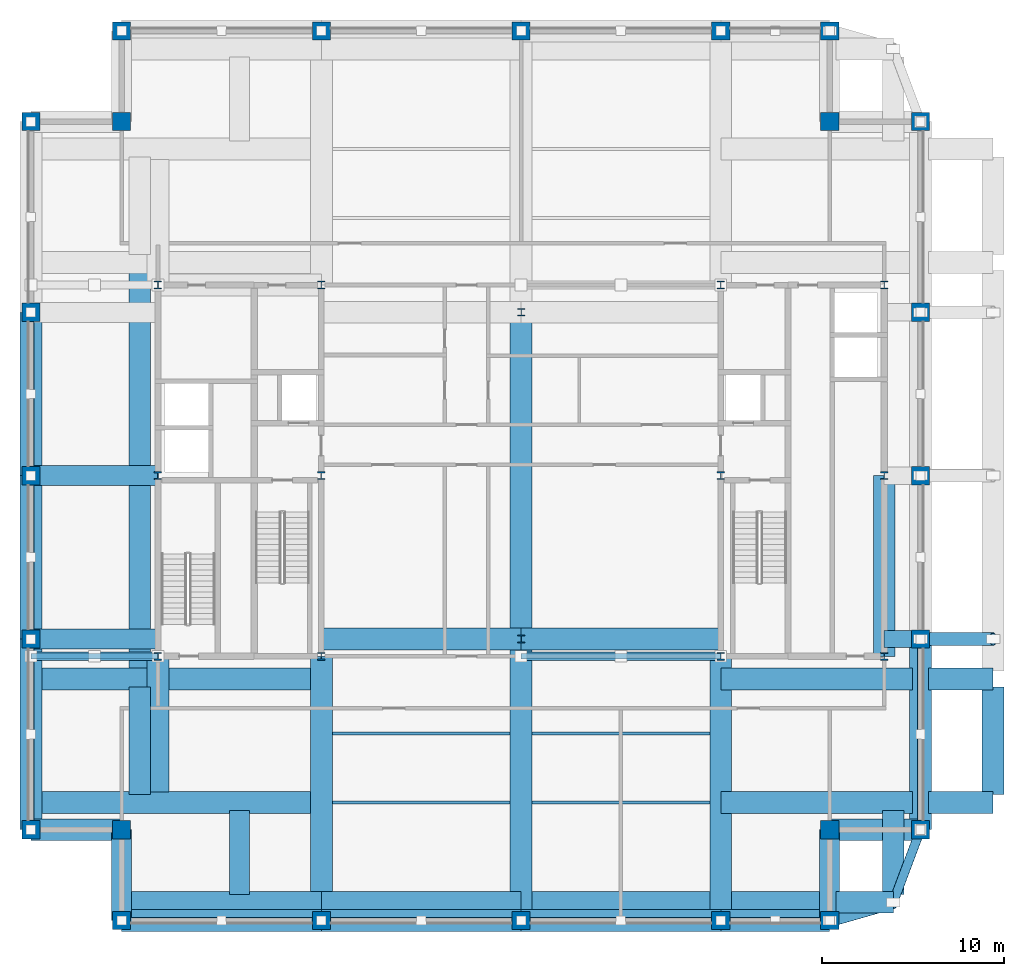
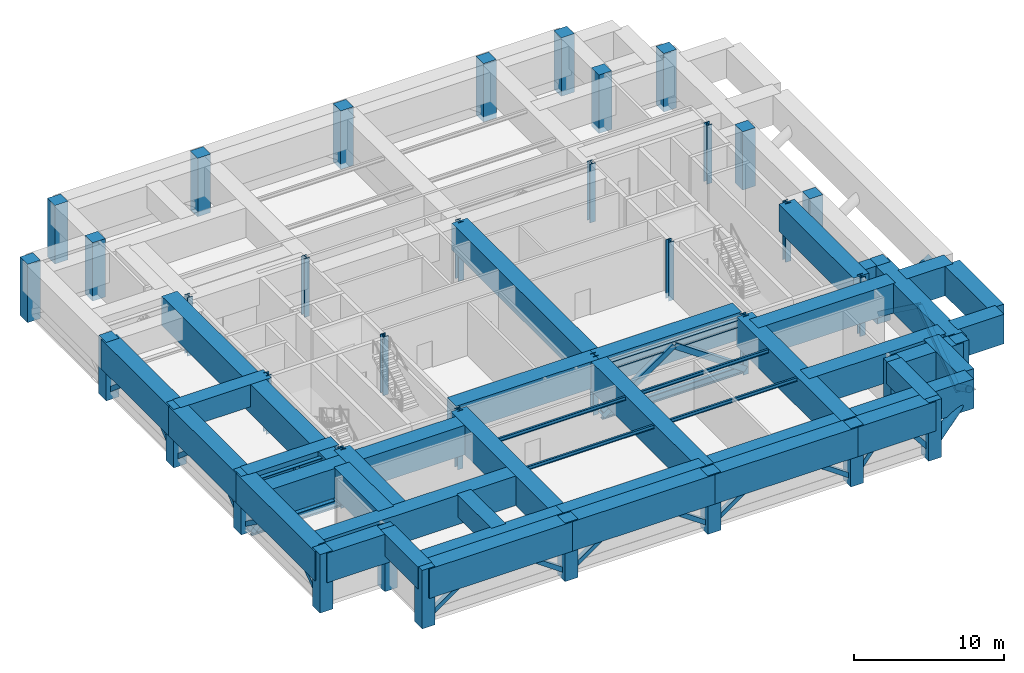
# One storey, part 1 of 9: 42 beams, 38 columns, 27 members.
"""IFC4 building model written with IfcOpenShell, lengths in metres."""

from ifc_helpers import new_model, si_unit, direction, frame, origin, origin_2d, place, context, subcontext, project, spatial, rectangle, hollow_rectangle, hollow_circle, i_section, extrude, material, material_profile, profile_set, type_object, element, save


model = new_model("IFC4")

# Units and contexts
model_context = context("Model", 3, precision=1e-05, world=origin(), true_north=direction((0.0, 1.0)))
body_context = subcontext(model_context, "Body", "Model", "MODEL_VIEW")
ifc_project = project(units=[si_unit("LENGTHUNIT", "METRE"), si_unit("AREAUNIT", "SQUARE_METRE"), si_unit("VOLUMEUNIT", "CUBIC_METRE"), si_unit("PLANEANGLEUNIT", "RADIAN"), si_unit("MASSUNIT", "GRAM", prefix="KILO")], contexts=[model_context])

# Site, building, storey
site_placement = place(None, origin())
site = spatial("IfcSite", under=ifc_project, at=site_placement, CompositionType="ELEMENT")
building_placement = place(site_placement, origin())
building = spatial("IfcBuilding", under=site, at=building_placement, Name="Zulmaris Gate Convention Tower", CompositionType="ELEMENT")
storey_placement = place(building_placement, frame((0.0, 0.0, 222.06005859375)))
storey = spatial("IfcBuildingStorey", under=building, at=storey_placement, Name="L58", CompositionType="ELEMENT", Elevation=222.06005859375)

# Columns
ifc_material_1 = material(Name="Steel S460", Category="steel")
ifc_material_profile_1 = material_profile(ifc_material_1, i_section(OverallWidth=0.412109375, OverallDepth=0.43505859375, WebThickness=0.035888671875, FlangeThickness=0.05810546875, FilletRadius=0.014892578125, at=origin_2d()), Name="HD 400x463")
ifc_profile_set_1 = profile_set([ifc_material_profile_1], Name="Steel S460")
column_type_1 = type_object("IfcColumnType", Name="COL-HD463", PredefinedType="COLUMN", material=ifc_profile_set_1)
for number, where, z_axis, x_axis, name in (
    (1, (-20.0, -9.949951171875, -0.425048828125), (0.0, 0.0, 1.0), (1.0, 0.0, 0.0), "L58 Column IN--20.00_-9.95"),
    (2, (-20.0, 10.5, -0.425048828125), (0.0, 0.0, 1.0), (1.0, 0.0, 0.0), "L58 Column IN--20.00_+10.50"),
    (3, (-11.0, -9.949951171875, -0.425048828125), (0.0, 0.0, 1.0), (1.0, 0.0, 0.0), "L58 Column IN--11.00_-9.95"),
    (4, (-11.0, 0.0, -0.425048828125), (0.0, 0.0, 1.0), (1.0, 0.0, 0.0), "L58 Column IN--11.00_+0.00"),
    (5, (-11.0, 10.5, -0.425048828125), (0.0, 0.0, 1.0), (1.0, 0.0, 0.0), "L58 Column IN--11.00_+10.50"),
    (6, (11.0, -9.949951171875, -0.425048828125), (0.0, 0.0, 1.0), (1.0, 0.0, 0.0), "L58 Column IN-+11.00_-9.95"),
    (7, (11.0, 0.0, -0.425048828125), (0.0, 0.0, 1.0), (1.0, 0.0, 0.0), "L58 Column IN-+11.00_+0.00"),
    (8, (11.0, 10.5, -0.425048828125), (0.0, 0.0, 1.0), (1.0, 0.0, 0.0), "L58 Column IN-+11.00_+10.50"),
    (9, (20.0, -9.949951171875, -0.425048828125), (0.0, 0.0, 1.0), (1.0, 0.0, 0.0), "L58 Column IN-+20.00_-9.95"),
    (10, (20.0, 10.5, -0.425048828125), (0.0, 0.0, 1.0), (1.0, 0.0, 0.0), "L58 Column IN-+20.00_+10.50"),
    (11, (0.0, -9.0, -0.425048828125), (0.0, 0.0, 1.0), (1.0, 0.0, 0.0), "L58 Column IN-+0.00_-9.00"),
    (12, (0.0, 9.0, -0.425048828125), (0.0, 0.0, 1.0), (1.0, 0.0, 0.0), "L58 Column IN-+0.00_+9.00"),
    (13, (-20.0, 0.0, -0.425048828125), (0.0, 0.0, 1.0), (1.0, 0.0, 0.0), "L58 Column IN--20.00_+0.00"),
    (14, (20.0, 0.0, -0.425048828125), (0.0, 0.0, 1.0), (1.0, 0.0, 0.0), "L58 Column IN-+20.00_+0.00"),
):
    element("IfcColumn", number, at=place(storey_placement, frame(where, z_axis=z_axis, x_axis=x_axis)), inside=storey, type_object=column_type_1, Name=name, PredefinedType="COLUMN", context=body_context, shape_type="SweptSolid", body=[
        extrude(i_section(OverallWidth=0.412109375, OverallDepth=0.43505859375, WebThickness=0.035888671875, FlangeThickness=0.05810546875, FilletRadius=0.014892578125, at=origin_2d()), origin(), (0.0, 0.0, 1.0), 4.760009765625),
    ])
ifc_material_2 = material(Name="Concrete C60/75", Category="concrete")
ifc_material_profile_2 = material_profile(ifc_material_2, rectangle(XDim=1.0, YDim=1.0, at=origin_2d()), Name="RC COL 1000x1000")
ifc_profile_set_2 = profile_set([ifc_material_profile_2], Name="Concrete C60/75")
column_type_2 = type_object("IfcColumnType", Name="COL-RC1000", PredefinedType="COLUMN", material=ifc_profile_set_2)
for number, where, z_axis, x_axis, name in (
    (15, (-22.0, -24.5, -0.425048828125), (0.0, 0.0, 1.0), (1.0, 0.0, 0.0), "L58 Column PT--22.00_-24.50"),
    (16, (-11.0, -24.5, -0.425048828125), (0.0, 0.0, 1.0), (1.0, 0.0, 0.0), "L58 Column PT--11.00_-24.50"),
    (17, (0.0, -24.5, -0.425048828125), (0.0, 0.0, 1.0), (1.0, 0.0, 0.0), "L58 Column PT-+0.00_-24.50"),
    (18, (11.0, -24.5, -0.425048828125), (0.0, 0.0, 1.0), (1.0, 0.0, 0.0), "L58 Column PT-+11.00_-24.50"),
    (19, (17.0, -24.5, -0.425048828125), (0.0, 0.0, 1.0), (1.0, 0.0, 0.0), "L58 Column PT-+17.00_-24.50"),
    (20, (-22.0, 24.5, -0.425048828125), (0.0, 0.0, 1.0), (1.0, 0.0, 0.0), "L58 Column PT--22.00_+24.50"),
    (21, (-11.0, 24.5, -0.425048828125), (0.0, 0.0, 1.0), (1.0, 0.0, 0.0), "L58 Column PT--11.00_+24.50"),
    (22, (0.0, 24.5, -0.425048828125), (0.0, 0.0, 1.0), (1.0, 0.0, 0.0), "L58 Column PT-+0.00_+24.50"),
    (23, (11.0, 24.5, -0.425048828125), (0.0, 0.0, 1.0), (1.0, 0.0, 0.0), "L58 Column PT-+11.00_+24.50"),
    (24, (17.0, 24.5, -0.425048828125), (0.0, 0.0, 1.0), (1.0, 0.0, 0.0), "L58 Column PT-+17.00_+24.50"),
    (25, (-27.0, -19.5, -0.425048828125), (0.0, 0.0, 1.0), (1.0, 0.0, 0.0), "L58 Column PT--27.00_-19.50"),
    (26, (-27.0, -9.0, -0.425048828125), (0.0, 0.0, 1.0), (1.0, 0.0, 0.0), "L58 Column PT--27.00_-9.00"),
    (27, (-27.0, 0.0, -0.425048828125), (0.0, 0.0, 1.0), (1.0, 0.0, 0.0), "L58 Column PT--27.00_+0.00"),
    (28, (-27.0, 9.0, -0.425048828125), (0.0, 0.0, 1.0), (1.0, 0.0, 0.0), "L58 Column PT--27.00_+9.00"),
    (29, (-27.0, 19.5, -0.425048828125), (0.0, 0.0, 1.0), (1.0, 0.0, 0.0), "L58 Column PT--27.00_+19.50"),
    (30, (22.0, -19.5, -0.425048828125), (0.0, 0.0, 1.0), (1.0, 0.0, 0.0), "L58 Column PT-+22.00_-19.50"),
    (31, (22.0, -9.0, -0.425048828125), (0.0, 0.0, 1.0), (1.0, 0.0, 0.0), "L58 Column PT-+22.00_-9.00"),
    (32, (22.0, 0.0, -0.425048828125), (0.0, 0.0, 1.0), (1.0, 0.0, 0.0), "L58 Column PT-+22.00_+0.00"),
    (33, (22.0, 9.0, -0.425048828125), (0.0, 0.0, 1.0), (1.0, 0.0, 0.0), "L58 Column PT-+22.00_+9.00"),
    (34, (22.0, 19.5, -0.425048828125), (0.0, 0.0, 1.0), (1.0, 0.0, 0.0), "L58 Column PT-+22.00_+19.50"),
    (35, (-22.0, -19.5, -0.425048828125), (0.0, 0.0, 1.0), (1.0, 0.0, 0.0), "L58 Column PT--22.00_-19.50"),
    (36, (17.0, -19.5, -0.425048828125), (0.0, 0.0, 1.0), (1.0, 0.0, 0.0), "L58 Column PT-+17.00_-19.50"),
    (37, (17.0, 19.5, -0.425048828125), (0.0, 0.0, 1.0), (1.0, 0.0, 0.0), "L58 Column PT-+17.00_+19.50"),
    (38, (-22.0, 19.5, -0.425048828125), (0.0, 0.0, 1.0), (1.0, 0.0, 0.0), "L58 Column PT--22.00_+19.50"),
):
    element("IfcColumn", number, at=place(storey_placement, frame(where, z_axis=z_axis, x_axis=x_axis)), inside=storey, type_object=column_type_2, Name=name, PredefinedType="COLUMN", context=body_context, shape_type="SweptSolid", body=[
        extrude(rectangle(XDim=1.0, YDim=1.0, at=origin_2d()), origin(), (0.0, 0.0, 1.0), 4.760009765625),
    ])

# Beams
ifc_material_3 = material(Name="Concrete C80/95", Category="concrete")
ifc_material_profile_3 = material_profile(ifc_material_3, rectangle(XDim=0.949951171875, YDim=1.64990234375, at=origin_2d()), Name="RC TRANSFER 950x1650")
ifc_profile_set_3 = profile_set([ifc_material_profile_3], Name="Concrete C80/95")
beam_type_1 = type_object("IfcBeamType", Name="BM-XFER1650", PredefinedType="BEAM", material=ifc_profile_set_3)
beam_1_placement = place(storey_placement, frame((20.0, -9.0, 3.510009765625), z_axis=(1.0, 0.0, 0.0), x_axis=(0.0, 1.0, 0.0)))
element("IfcBeam", 39, at=beam_1_placement, inside=storey, type_object=beam_type_1, Name="L58 Beam BM-L58-G19", PredefinedType="BEAM", context=body_context, shape_type="SweptSolid", body=[
    extrude(rectangle(XDim=0.949951171875, YDim=1.64990234375, at=origin_2d()), origin(), (0.0, 0.0, 1.0), 2.0),
])
ifc_material_profile_4 = material_profile(ifc_material_3, rectangle(XDim=1.10009765625, YDim=1.800048828125, at=origin_2d()), Name="RC TRANSFER 1100x1800")
ifc_profile_set_4 = profile_set([ifc_material_profile_4], Name="Concrete C80/95")
beam_type_2 = type_object("IfcBeamType", Name="BM-XFER1800", PredefinedType="BEAM", material=ifc_profile_set_4)
for number, where, z_axis, x_axis, name in (
    (40, (-22.0, -24.5, 3.43505859375), (0.0, 1.0, 0.0), (-1.0, 0.0, 0.0), "L58 Beam XFCOLV-L58-CXWS"),
    (41, (17.0, -24.5, 3.43505859375), (0.0, 1.0, 0.0), (-1.0, 0.0, 0.0), "L58 Beam XFCOLV-L58-CXES"),
):
    element("IfcBeam", number, at=place(storey_placement, frame(where, z_axis=z_axis, x_axis=x_axis)), inside=storey, type_object=beam_type_2, Name=name, PredefinedType="BEAM", context=body_context, shape_type="SweptSolid", body=[
        extrude(rectangle(XDim=1.10009765625, YDim=1.800048828125, at=origin_2d()), origin(), (0.0, 0.0, 1.0), 5.0),
    ])
beam_2_placement = place(storey_placement, frame((-15.5, -23.06494140625, 3.43505859375), z_axis=(0.0, 1.0, 0.0), x_axis=(-1.0, 0.0, 0.0)))
element("IfcBeam", 42, at=beam_2_placement, inside=storey, type_object=beam_type_2, Name="L58 Beam XFNCH-L58-WC--18.0", PredefinedType="BEAM", context=body_context, shape_type="SweptSolid", body=[
    extrude(rectangle(XDim=1.10009765625, YDim=1.800048828125, at=origin_2d()), origin(), (0.0, 0.0, 1.0), 4.6298828125),
])
for number, where, z_axis, x_axis, name in (
    (43, (-27.0, -9.0, 3.43505859375), (1.0, 0.0, 0.0), (0.0, 1.0, 0.0), "L58 Beam BM-L58-G16"),
    (44, (-27.0, 0.0, 3.43505859375), (1.0, 0.0, 0.0), (0.0, 1.0, 0.0), "L58 Beam BM-L58-G17"),
):
    element("IfcBeam", number, at=place(storey_placement, frame(where, z_axis=z_axis, x_axis=x_axis)), inside=storey, type_object=beam_type_2, Name=name, PredefinedType="BEAM", context=body_context, shape_type="SweptSolid", body=[
        extrude(rectangle(XDim=1.10009765625, YDim=1.800048828125, at=origin_2d()), origin(), (0.0, 0.0, 1.0), 7.0),
    ])
ifc_material_profile_5 = material_profile(ifc_material_3, rectangle(XDim=1.199951171875, YDim=2.199951171875, at=origin_2d()), Name="RC TRANSFER 1200x2200")
ifc_profile_set_5 = profile_set([ifc_material_profile_5], Name="Concrete C80/95")
beam_type_3 = type_object("IfcBeamType", Name="BM-XFER2200", PredefinedType="BEAM", material=ifc_profile_set_5)
for number, where, z_axis, x_axis, name in (
    (45, (-11.0, -9.0, 3.235107421875), (1.0, 0.0, 0.0), (0.0, 1.0, 0.0), "L58 Beam BM-L58-G01"),
    (46, (0.0, -9.0, 3.235107421875), (1.0, 0.0, 0.0), (0.0, 1.0, 0.0), "L58 Beam BM-L58-G02"),
):
    element("IfcBeam", number, at=place(storey_placement, frame(where, z_axis=z_axis, x_axis=x_axis)), inside=storey, type_object=beam_type_3, Name=name, PredefinedType="BEAM", context=body_context, shape_type="SweptSolid", body=[
        extrude(rectangle(XDim=1.199951171875, YDim=2.199951171875, at=origin_2d()), origin(), (0.0, 0.0, 1.0), 11.0),
    ])
beam_3_placement = place(storey_placement, frame((0.0, -9.0, 3.235107421875), z_axis=(0.0, 1.0, 0.0), x_axis=(-1.0, 0.0, 0.0)))
element("IfcBeam", 47, at=beam_3_placement, inside=storey, type_object=beam_type_3, Name="L58 Beam BM-L58-G06", PredefinedType="BEAM", context=body_context, shape_type="SweptSolid", body=[
    extrude(rectangle(XDim=1.199951171875, YDim=2.199951171875, at=origin_2d()), origin(), (0.0, 0.0, 1.0), 18.0),
])
beam_4_placement = place(storey_placement, frame((20.0, -9.949951171875, 3.235107421875), z_axis=(0.0, 1.0, 0.0), x_axis=(-1.0, 0.0, 0.0)))
element("IfcBeam", 48, at=beam_4_placement, inside=storey, type_object=beam_type_3, Name="L58 Beam BM-L58-G28", PredefinedType="BEAM", context=body_context, shape_type="SweptSolid", body=[
    extrude(rectangle(XDim=1.199951171875, YDim=2.199951171875, at=origin_2d()), origin(), (0.0, 0.0, 1.0), 9.949951171875),
])
ifc_material_profile_6 = material_profile(ifc_material_3, rectangle(XDim=1.199951171875, YDim=2.39990234375, at=origin_2d()), Name="RC TRANSFER 1200x2400")
ifc_profile_set_6 = profile_set([ifc_material_profile_6], Name="Concrete C80/95")
beam_type_4 = type_object("IfcBeamType", Name="BM-XFER2400", PredefinedType="BEAM", material=ifc_profile_set_6)
beam_5_placement = place(storey_placement, frame((-27.0, -19.5, 3.135009765625), z_axis=(0.0, 1.0, 0.0), x_axis=(-1.0, 0.0, 0.0)))
element("IfcBeam", 49, at=beam_5_placement, inside=storey, type_object=beam_type_4, Name="L58 Beam XFCOLV-L58-XWS", PredefinedType="BEAM", context=body_context, shape_type="SweptSolid", body=[
    extrude(rectangle(XDim=1.199951171875, YDim=2.39990234375, at=origin_2d()), origin(), (0.0, 0.0, 1.0), 10.5),
])
for number, where, z_axis, x_axis, name in (
    (50, (-27.0, -9.0, 3.135009765625), (0.0, 1.0, 0.0), (-1.0, 0.0, 0.0), "L58 Beam XFCOLV-L58-XWM1"),
    (51, (-27.0, 0.0, 3.135009765625), (0.0, 1.0, 0.0), (-1.0, 0.0, 0.0), "L58 Beam XFCOLV-L58-XWM2"),
):
    element("IfcBeam", number, at=place(storey_placement, frame(where, z_axis=z_axis, x_axis=x_axis)), inside=storey, type_object=beam_type_4, Name=name, PredefinedType="BEAM", context=body_context, shape_type="SweptSolid", body=[
        extrude(rectangle(XDim=1.199951171875, YDim=2.39990234375, at=origin_2d()), origin(), (0.0, 0.0, 1.0), 9.0),
    ])
beam_6_placement = place(storey_placement, frame((22.0, -19.5, 3.135009765625), z_axis=(0.0, 1.0, 0.0), x_axis=(-1.0, 0.0, 0.0)))
element("IfcBeam", 52, at=beam_6_placement, inside=storey, type_object=beam_type_4, Name="L58 Beam XFCOLV-L58-XES", PredefinedType="BEAM", context=body_context, shape_type="SweptSolid", body=[
    extrude(rectangle(XDim=1.199951171875, YDim=2.39990234375, at=origin_2d()), origin(), (0.0, 0.0, 1.0), 10.5),
])
for number, where, z_axis, x_axis, name in (
    (53, (-11.0, -24.5, 3.135009765625), (0.0, 1.0, 0.0), (-1.0, 0.0, 0.0), "L58 Beam XFCOLV-L58-C11WS"),
    (54, (11.0, -24.5, 3.135009765625), (0.0, 1.0, 0.0), (-1.0, 0.0, 0.0), "L58 Beam XFCOLV-L58-C11ES"),
):
    element("IfcBeam", number, at=place(storey_placement, frame(where, z_axis=z_axis, x_axis=x_axis)), inside=storey, type_object=beam_type_4, Name=name, PredefinedType="BEAM", context=body_context, shape_type="SweptSolid", body=[
        extrude(rectangle(XDim=1.199951171875, YDim=2.39990234375, at=origin_2d()), origin(), (0.0, 0.0, 1.0), 14.550048828125),
    ])
beam_7_placement = place(storey_placement, frame((0.0, -24.5, 3.135009765625), z_axis=(0.0, 1.0, 0.0), x_axis=(-1.0, 0.0, 0.0)))
element("IfcBeam", 55, at=beam_7_placement, inside=storey, type_object=beam_type_4, Name="L58 Beam XFCOLV-L58-C0S", PredefinedType="BEAM", context=body_context, shape_type="SweptSolid", body=[
    extrude(rectangle(XDim=1.199951171875, YDim=2.39990234375, at=origin_2d()), origin(), (0.0, 0.0, 1.0), 15.5),
])
beam_8_placement = place(storey_placement, frame((11.0, -18.0, 3.135009765625), z_axis=(1.0, 0.0, 0.0), x_axis=(0.0, 1.0, 0.0)))
element("IfcBeam", 56, at=beam_8_placement, inside=storey, type_object=beam_type_4, Name="L58 Beam XFBS-L58-E--18.00", PredefinedType="BEAM", context=body_context, shape_type="SweptSolid", body=[
    extrude(rectangle(XDim=1.199951171875, YDim=2.39990234375, at=origin_2d()), origin(), (0.0, 0.0, 1.0), 10.56494140625),
])
beam_9_placement = place(storey_placement, frame((22.43505859375, -18.0, 3.135009765625), z_axis=(1.0, 0.0, 0.0), x_axis=(0.0, 1.0, 0.0)))
element("IfcBeam", 57, at=beam_9_placement, inside=storey, type_object=beam_type_4, Name="L58 Beam XFSF-L58-E--18.00", PredefinedType="BEAM", context=body_context, shape_type="SweptSolid", body=[
    extrude(rectangle(XDim=1.199951171875, YDim=2.39990234375, at=origin_2d()), origin(), (0.0, 0.0, 1.0), 3.56494140625),
])
beam_10_placement = place(storey_placement, frame((11.0, -11.199951171875, 3.135009765625), z_axis=(1.0, 0.0, 0.0), x_axis=(0.0, 1.0, 0.0)))
element("IfcBeam", 58, at=beam_10_placement, inside=storey, type_object=beam_type_4, Name="L58 Beam XFBS-L58-E--11.20", PredefinedType="BEAM", context=body_context, shape_type="SweptSolid", body=[
    extrude(rectangle(XDim=1.199951171875, YDim=2.39990234375, at=origin_2d()), origin(), (0.0, 0.0, 1.0), 10.56494140625),
])
beam_11_placement = place(storey_placement, frame((22.43505859375, -11.199951171875, 3.135009765625), z_axis=(1.0, 0.0, 0.0), x_axis=(0.0, 1.0, 0.0)))
element("IfcBeam", 59, at=beam_11_placement, inside=storey, type_object=beam_type_4, Name="L58 Beam XFSF-L58-E--11.20", PredefinedType="BEAM", context=body_context, shape_type="SweptSolid", body=[
    extrude(rectangle(XDim=1.199951171875, YDim=2.39990234375, at=origin_2d()), origin(), (0.0, 0.0, 1.0), 3.56494140625),
])
beam_12_placement = place(storey_placement, frame((26.0, -17.56494140625, 3.135009765625), z_axis=(0.0, 1.0, 0.0), x_axis=(-1.0, 0.0, 0.0)))
element("IfcBeam", 60, at=beam_12_placement, inside=storey, type_object=beam_type_4, Name="L58 Beam XFEDG-L58-ES", PredefinedType="BEAM", context=body_context, shape_type="SweptSolid", body=[
    extrude(rectangle(XDim=1.199951171875, YDim=2.39990234375, at=origin_2d()), origin(), (0.0, 0.0, 1.0), 5.929931640625),
])
beam_13_placement = place(storey_placement, frame((0.43505859375, -23.5, 3.135009765625), z_axis=(1.0, 0.0, 0.0), x_axis=(0.0, 1.0, 0.0)))
element("IfcBeam", 61, at=beam_13_placement, inside=storey, type_object=beam_type_4, Name="L58 Beam XFBS-L58-EC--23.5", PredefinedType="BEAM", context=body_context, shape_type="SweptSolid", body=[
    extrude(rectangle(XDim=1.199951171875, YDim=2.39990234375, at=origin_2d()), origin(), (0.0, 0.0, 1.0), 16.22998046875),
])
beam_14_placement = place(storey_placement, frame((17.3349609375, -23.5, 3.135009765625), z_axis=(1.0, 0.0, 0.0), x_axis=(0.0, 1.0, 0.0)))
element("IfcBeam", 62, at=beam_14_placement, inside=storey, type_object=beam_type_4, Name="L58 Beam XFSF-L58-EC--23.5", PredefinedType="BEAM", context=body_context, shape_type="SweptSolid", body=[
    extrude(rectangle(XDim=1.199951171875, YDim=2.39990234375, at=origin_2d()), origin(), (0.0, 0.0, 1.0), 3.1650390625),
])
for number, where, z_axis, x_axis, name in (
    (63, (-27.0, -18.0, 3.135009765625), (1.0, 0.0, 0.0), (0.0, 1.0, 0.0), "L58 Beam XFREC-L58-W--18.00"),
    (64, (-27.0, -11.199951171875, 3.135009765625), (1.0, 0.0, 0.0), (0.0, 1.0, 0.0), "L58 Beam XFREC-L58-W--11.20"),
):
    element("IfcBeam", number, at=place(storey_placement, frame(where, z_axis=z_axis, x_axis=x_axis)), inside=storey, type_object=beam_type_4, Name=name, PredefinedType="BEAM", context=body_context, shape_type="SweptSolid", body=[
        extrude(rectangle(XDim=1.199951171875, YDim=2.39990234375, at=origin_2d()), origin(), (0.0, 0.0, 1.0), 16.0),
    ])
beam_15_placement = place(storey_placement, frame((-21.0, -17.56494140625, 3.135009765625), z_axis=(0.0, 1.0, 0.0), x_axis=(-1.0, 0.0, 0.0)))
element("IfcBeam", 65, at=beam_15_placement, inside=storey, type_object=beam_type_4, Name="L58 Beam XFEDG-L58-WS", PredefinedType="BEAM", context=body_context, shape_type="SweptSolid", body=[
    extrude(rectangle(XDim=1.199951171875, YDim=2.39990234375, at=origin_2d()), origin(), (0.0, 0.0, 1.0), 5.929931640625),
])
beam_16_placement = place(storey_placement, frame((-21.0, -10.764892578125, 3.135009765625), z_axis=(0.0, 1.0, 0.0), x_axis=(-1.0, 0.0, 0.0)))
element("IfcBeam", 66, at=beam_16_placement, inside=storey, type_object=beam_type_4, Name="L58 Beam XFEDG-L58-WM", PredefinedType="BEAM", context=body_context, shape_type="SweptSolid", body=[
    extrude(rectangle(XDim=1.199951171875, YDim=2.39990234375, at=origin_2d()), origin(), (0.0, 0.0, 1.0), 22.079833984375),
])
for number, where, z_axis, x_axis, name in (
    (67, (-22.0, -23.5, 3.135009765625), (1.0, 0.0, 0.0), (0.0, 1.0, 0.0), "L58 Beam XFREC-L58-WC--23.5"),
    (68, (-11.0, -23.5, 3.135009765625), (1.0, 0.0, 0.0), (0.0, 1.0, 0.0), "L58 Beam XFREC-L58-M1--23.5"),
):
    element("IfcBeam", number, at=place(storey_placement, frame(where, z_axis=z_axis, x_axis=x_axis)), inside=storey, type_object=beam_type_4, Name=name, PredefinedType="BEAM", context=body_context, shape_type="SweptSolid", body=[
        extrude(rectangle(XDim=1.199951171875, YDim=2.39990234375, at=origin_2d()), origin(), (0.0, 0.0, 1.0), 11.0),
    ])
beam_17_placement = place(storey_placement, frame((20.5, -23.06494140625, 3.135009765625), z_axis=(0.0, 1.0, 0.0), x_axis=(-1.0, 0.0, 0.0)))
element("IfcBeam", 69, at=beam_17_placement, inside=storey, type_object=beam_type_4, Name="L58 Beam XFNCH-L58-EC--18.0", PredefinedType="BEAM", context=body_context, shape_type="SweptSolid", body=[
    extrude(rectangle(XDim=1.199951171875, YDim=2.39990234375, at=origin_2d()), origin(), (0.0, 0.0, 1.0), 4.6298828125),
])
for number, where, z_axis, x_axis, name in (
    (70, (-22.0, -24.5, 3.135009765625), (1.0, 0.0, 0.0), (0.0, 1.0, 0.0), "L58 Beam SP-L58-01"),
    (71, (-11.0, -24.5, 3.135009765625), (1.0, 0.0, 0.0), (0.0, 1.0, 0.0), "L58 Beam SP-L58-02"),
    (72, (0.0, -24.5, 3.135009765625), (1.0, 0.0, 0.0), (0.0, 1.0, 0.0), "L58 Beam SP-L58-03"),
):
    element("IfcBeam", number, at=place(storey_placement, frame(where, z_axis=z_axis, x_axis=x_axis)), inside=storey, type_object=beam_type_4, Name=name, PredefinedType="BEAM", context=body_context, shape_type="SweptSolid", body=[
        extrude(rectangle(XDim=1.199951171875, YDim=2.39990234375, at=origin_2d()), origin(), (0.0, 0.0, 1.0), 11.0),
    ])
beam_18_placement = place(storey_placement, frame((11.0, -24.5, 3.135009765625), z_axis=(1.0, 0.0, 0.0), x_axis=(0.0, 1.0, 0.0)))
element("IfcBeam", 73, at=beam_18_placement, inside=storey, type_object=beam_type_4, Name="L58 Beam SP-L58-04", PredefinedType="BEAM", context=body_context, shape_type="SweptSolid", body=[
    extrude(rectangle(XDim=1.199951171875, YDim=2.39990234375, at=origin_2d()), origin(), (0.0, 0.0, 1.0), 6.0),
])
for number, where, z_axis, x_axis, name in (
    (74, (17.0, -19.5, 3.135009765625), (1.0, 0.0, 0.0), (0.0, 1.0, 0.0), "L58 Beam SP-L58-06"),
    (75, (-27.0, -19.5, 3.135009765625), (1.0, 0.0, 0.0), (0.0, 1.0, 0.0), "L58 Beam SP-L58-23"),
):
    element("IfcBeam", number, at=place(storey_placement, frame(where, z_axis=z_axis, x_axis=x_axis)), inside=storey, type_object=beam_type_4, Name=name, PredefinedType="BEAM", context=body_context, shape_type="SweptSolid", body=[
        extrude(rectangle(XDim=1.199951171875, YDim=2.39990234375, at=origin_2d()), origin(), (0.0, 0.0, 1.0), 5.0),
    ])
beam_19_placement = place(storey_placement, frame((-20.0, -17.4150390625, 3.135009765625), z_axis=(0.0, 1.0, 0.0), x_axis=(-1.0, 0.0, 0.0)))
element("IfcBeam", 76, at=beam_19_placement, inside=storey, type_object=beam_type_4, Name="L58 Beam BM-L58-G12", PredefinedType="BEAM", context=body_context, shape_type="SweptSolid", body=[
    extrude(rectangle(XDim=1.199951171875, YDim=2.39990234375, at=origin_2d()), origin(), (0.0, 0.0, 1.0), 7.465087890625),
])

# Members
ifc_material_profile_7 = material_profile(ifc_material_1, hollow_circle(Radius=0.25390625, WallThickness=0.02490234375, at=origin_2d()), Name="CHS 508x25")
ifc_profile_set_7 = profile_set([ifc_material_profile_7], Name="Steel S460")
member_type_1 = type_object("IfcMemberType", Name="BR-CHS508", PredefinedType="BRACE", material=ifc_profile_set_7)
member_1_placement = place(storey_placement, frame((22.0, -19.5, 0.35009765625), z_axis=(-0.294141761469, -0.784378030584, 0.546105968926), x_axis=(0.936329177569, -0.351123441588, 0.0)))
element("IfcMember", 77, at=member_1_placement, inside=storey, type_object=member_type_1, Name="L58 Shifted Block Notch Web Strut EC -23.5", PredefinedType="BRACE", context=body_context, shape_type="SweptSolid", body=[
    extrude(hollow_circle(Radius=0.25390625, WallThickness=0.02490234375, at=origin_2d()), origin(), (0.0, 0.0, 1.0), 5.099609375),
])
ifc_material_profile_8 = material_profile(ifc_material_1, hollow_circle(Radius=0.35546875, WallThickness=0.035888671875, at=origin_2d()), Name="CHS 711x36")
ifc_profile_set_8 = profile_set([ifc_material_profile_8], Name="Steel S460")
member_type_2 = type_object("IfcMemberType", Name="BR-CHS711", PredefinedType="BRACE", material=ifc_profile_set_8)
member_2_placement = place(storey_placement, frame((22.0, -9.0, 0.35009765625), z_axis=(0.82068359301, 0.0, 0.571382919035), x_axis=(0.0, 1.0, 0.0)))
element("IfcMember", 78, at=member_2_placement, inside=storey, type_object=member_type_2, Name="L58 Shifted Block Transfer Raking Strut E -9.0", PredefinedType="BRACE", context=body_context, shape_type="SweptSolid", body=[
    extrude(hollow_circle(Radius=0.35546875, WallThickness=0.035888671875, at=origin_2d()), origin(), (0.0, 0.0, 1.0), 4.8740234375),
])
member_3_placement = place(storey_placement, frame((17.0, -24.5, 0.35009765625), z_axis=(0.763658338909, 0.218188096831, 0.607634672987), x_axis=(-0.274721127897, 0.961523947641, 0.0)))
element("IfcMember", 79, at=member_3_placement, inside=storey, type_object=member_type_2, Name="L58 Shifted Block Corner Raking Strut EC -23.5", PredefinedType="BRACE", context=body_context, shape_type="SweptSolid", body=[
    extrude(hollow_circle(Radius=0.35546875, WallThickness=0.035888671875, at=origin_2d()), origin(), (0.0, 0.0, 1.0), 4.583251953125),
])
ifc_material_profile_9 = material_profile(ifc_material_1, hollow_rectangle(XDim=0.35009765625, YDim=0.35009765625, WallThickness=0.01611328125, at=origin_2d()), Name="SHS 350x350x16")
ifc_profile_set_9 = profile_set([ifc_material_profile_9], Name="Steel S460")
member_type_3 = type_object("IfcMemberType", Name="BR-SHS350", PredefinedType="BRACE", material=ifc_profile_set_9)
for number, where, z_axis, x_axis, name in (
    (80, (-22.0, -24.5, 0.0), (0.82028427934, 0.0, 0.571956030712), (0.0, 1.0, 0.0), "L58 Perimeter Belt Truss Diagonal 01-1"),
    (81, (-16.5, -24.5, 3.8349609375), (0.82028427934, 0.0, -0.571956030712), (0.0, 1.0, 0.0), "L58 Perimeter Belt Truss Diagonal 01-2"),
    (82, (-11.0, -24.5, 0.0), (0.82028427934, 0.0, 0.571956030712), (0.0, 1.0, 0.0), "L58 Perimeter Belt Truss Diagonal 02-1"),
    (83, (-5.5, -24.5, 3.8349609375), (0.82028427934, 0.0, -0.571956030712), (0.0, 1.0, 0.0), "L58 Perimeter Belt Truss Diagonal 02-2"),
    (84, (0.0, -24.5, 0.0), (0.82028427934, 0.0, 0.571956030712), (0.0, 1.0, 0.0), "L58 Perimeter Belt Truss Diagonal 03-1"),
    (85, (5.5, -24.5, 3.8349609375), (0.82028427934, 0.0, -0.571956030712), (0.0, 1.0, 0.0), "L58 Perimeter Belt Truss Diagonal 03-2"),
):
    element("IfcMember", number, at=place(storey_placement, frame(where, z_axis=z_axis, x_axis=x_axis)), inside=storey, type_object=member_type_3, Name=name, PredefinedType="BRACE", context=body_context, shape_type="SweptSolid", body=[
        extrude(hollow_rectangle(XDim=0.35009765625, YDim=0.35009765625, WallThickness=0.01611328125, at=origin_2d()), origin(), (0.0, 0.0, 1.0), 6.705078125),
    ])
for number, where, z_axis, x_axis, name in (
    (86, (11.0, -24.5, 0.0), (0.616146006879, 0.0, 0.78763195606), (0.0, 1.0, 0.0), "L58 Perimeter Belt Truss Diagonal 04-1"),
    (87, (14.0, -24.5, 3.8349609375), (0.616146006879, 0.0, -0.78763195606), (0.0, 1.0, 0.0), "L58 Perimeter Belt Truss Diagonal 04-2"),
):
    element("IfcMember", number, at=place(storey_placement, frame(where, z_axis=z_axis, x_axis=x_axis)), inside=storey, type_object=member_type_3, Name=name, PredefinedType="BRACE", context=body_context, shape_type="SweptSolid", body=[
        extrude(hollow_rectangle(XDim=0.35009765625, YDim=0.35009765625, WallThickness=0.01611328125, at=origin_2d()), origin(), (0.0, 0.0, 1.0), 4.868896484375),
    ])
for number, where, z_axis, x_axis, name in (
    (88, (-27.0, -19.5, 0.0), (0.0, 0.807506694301, 0.589858405602), (-1.0, 0.0, 0.0), "L58 Perimeter Belt Truss Diagonal 09-1"),
    (89, (-27.0, -14.25, 3.8349609375), (0.0, 0.807506694301, -0.589858405602), (-1.0, 0.0, 0.0), "L58 Perimeter Belt Truss Diagonal 09-2"),
):
    element("IfcMember", number, at=place(storey_placement, frame(where, z_axis=z_axis, x_axis=x_axis)), inside=storey, type_object=member_type_3, Name=name, PredefinedType="BRACE", context=body_context, shape_type="SweptSolid", body=[
        extrude(hollow_rectangle(XDim=0.35009765625, YDim=0.35009765625, WallThickness=0.01611328125, at=origin_2d()), origin(), (0.0, 0.0, 1.0), 6.50146484375),
    ])
for number, where, z_axis, x_axis, name in (
    (90, (-27.0, -9.0, 0.0), (0.0, 0.761107322007, 0.648625966476), (-1.0, 0.0, 0.0), "L58 Perimeter Belt Truss Diagonal 10-1"),
    (91, (-27.0, -4.5, 3.8349609375), (0.0, 0.761107322007, -0.648625966476), (-1.0, 0.0, 0.0), "L58 Perimeter Belt Truss Diagonal 10-2"),
    (92, (-27.0, 0.0, 0.0), (0.0, 0.761107322007, 0.648625966476), (-1.0, 0.0, 0.0), "L58 Perimeter Belt Truss Diagonal 11-1"),
    (93, (-27.0, 4.5, 3.8349609375), (0.0, 0.761107322007, -0.648625966476), (-1.0, 0.0, 0.0), "L58 Perimeter Belt Truss Diagonal 11-2"),
):
    element("IfcMember", number, at=place(storey_placement, frame(where, z_axis=z_axis, x_axis=x_axis)), inside=storey, type_object=member_type_3, Name=name, PredefinedType="BRACE", context=body_context, shape_type="SweptSolid", body=[
        extrude(hollow_rectangle(XDim=0.35009765625, YDim=0.35009765625, WallThickness=0.01611328125, at=origin_2d()), origin(), (0.0, 0.0, 1.0), 5.912353515625),
    ])
for number, where, z_axis, x_axis, name in (
    (94, (22.0, -19.5, 0.0), (0.0, 0.807506694301, 0.589858405602), (-1.0, 0.0, 0.0), "L58 Perimeter Belt Truss Diagonal 13-1"),
    (95, (22.0, -14.25, 3.8349609375), (0.0, 0.807506694301, -0.589858405602), (-1.0, 0.0, 0.0), "L58 Perimeter Belt Truss Diagonal 13-2"),
):
    element("IfcMember", number, at=place(storey_placement, frame(where, z_axis=z_axis, x_axis=x_axis)), inside=storey, type_object=member_type_3, Name=name, PredefinedType="BRACE", context=body_context, shape_type="SweptSolid", body=[
        extrude(hollow_rectangle(XDim=0.35009765625, YDim=0.35009765625, WallThickness=0.01611328125, at=origin_2d()), origin(), (0.0, 0.0, 1.0), 6.50146484375),
    ])
ifc_material_profile_10 = material_profile(ifc_material_1, hollow_rectangle(XDim=0.449951171875, YDim=0.449951171875, WallThickness=0.02490234375, at=origin_2d()), Name="SHS 450x450x25")
ifc_profile_set_10 = profile_set([ifc_material_profile_10], Name="Steel S460")
member_type_4 = type_object("IfcMemberType", Name="BR-SHS450", PredefinedType="BRACE", material=ifc_profile_set_10)
for number, where, z_axis, x_axis, name in (
    (96, (-27.0, -9.949951171875, 0.0), (0.674113253952, 0.0, 0.738627998959), (0.0, 1.0, 0.0), "L58 Outrigger Truss Diagonal OT-L58-DG--9.9--27-A"),
    (97, (-23.5, -9.949951171875, 3.8349609375), (0.674113253952, 0.0, -0.738627998959), (0.0, 1.0, 0.0), "L58 Outrigger Truss Diagonal OT-L58-DG--9.9--27-B"),
):
    element("IfcMember", number, at=place(storey_placement, frame(where, z_axis=z_axis, x_axis=x_axis)), inside=storey, type_object=member_type_4, Name=name, PredefinedType="BRACE", context=body_context, shape_type="SweptSolid", body=[
        extrude(hollow_rectangle(XDim=0.449951171875, YDim=0.449951171875, WallThickness=0.02490234375, at=origin_2d()), origin(), (0.0, 0.0, 1.0), 5.19189453125),
    ])
for number, where, z_axis, x_axis, name in (
    (98, (0.0, -9.949951171875, 0.0), (0.82028427934, 0.0, 0.571956030712), (0.0, 1.0, 0.0), "L58 Outrigger Truss Diagonal OT-L58-DG--9.9-+0-A"),
    (99, (5.5, -9.949951171875, 3.8349609375), (0.82028427934, 0.0, -0.571956030712), (0.0, 1.0, 0.0), "L58 Outrigger Truss Diagonal OT-L58-DG--9.9-+0-B"),
):
    element("IfcMember", number, at=place(storey_placement, frame(where, z_axis=z_axis, x_axis=x_axis)), inside=storey, type_object=member_type_4, Name=name, PredefinedType="BRACE", context=body_context, shape_type="SweptSolid", body=[
        extrude(hollow_rectangle(XDim=0.449951171875, YDim=0.449951171875, WallThickness=0.02490234375, at=origin_2d()), origin(), (0.0, 0.0, 1.0), 6.705078125),
    ])
ifc_material_profile_11 = material_profile(ifc_material_1, i_section(OverallWidth=0.304931640625, OverallDepth=0.6201171875, WebThickness=0.02099609375, FlangeThickness=0.0400390625, FilletRadius=0.027099609375, at=origin_2d()), Name="HEM 600")
ifc_profile_set_11 = profile_set([ifc_material_profile_11], Name="Steel S460")
member_type_5 = type_object("IfcMemberType", Name="CH-HEM600", PredefinedType="CHORD", material=ifc_profile_set_11)
for number, where, z_axis, x_axis, name in (
    (100, (-27.0, -9.949951171875, 0.0), (1.0, 0.0, 0.0), (0.0, 1.0, 0.0), "L58 Outrigger Truss Bottom Chord -9.9"),
    (101, (-27.0, -9.949951171875, 3.8349609375), (1.0, 0.0, 0.0), (0.0, 1.0, 0.0), "L58 Outrigger Truss Top Chord -9.9"),
):
    element("IfcMember", number, at=place(storey_placement, frame(where, z_axis=z_axis, x_axis=x_axis)), inside=storey, type_object=member_type_5, Name=name, PredefinedType="CHORD", context=body_context, shape_type="SweptSolid", body=[
        extrude(i_section(OverallWidth=0.304931640625, OverallDepth=0.6201171875, WebThickness=0.02099609375, FlangeThickness=0.0400390625, FilletRadius=0.027099609375, at=origin_2d()), origin(), (0.0, 0.0, 1.0), 7.0),
    ])
for number, where, z_axis, x_axis, name in (
    (102, (0.0, -9.949951171875, 0.0), (1.0, 0.0, 0.0), (0.0, 1.0, 0.0), "L58 Outrigger Truss Bottom Chord -9.9"),
    (103, (0.0, -9.949951171875, 3.8349609375), (1.0, 0.0, 0.0), (0.0, 1.0, 0.0), "L58 Outrigger Truss Top Chord -9.9"),
):
    element("IfcMember", number, at=place(storey_placement, frame(where, z_axis=z_axis, x_axis=x_axis)), inside=storey, type_object=member_type_5, Name=name, PredefinedType="CHORD", context=body_context, shape_type="SweptSolid", body=[
        extrude(i_section(OverallWidth=0.304931640625, OverallDepth=0.6201171875, WebThickness=0.02099609375, FlangeThickness=0.0400390625, FilletRadius=0.027099609375, at=origin_2d()), origin(), (0.0, 0.0, 1.0), 11.0),
    ])

# Beams
ifc_material_4 = material(Name="Steel S355", Category="steel")
ifc_material_profile_12 = material_profile(ifc_material_4, i_section(OverallWidth=0.14990234375, OverallDepth=0.300048828125, WebThickness=0.007080078125, FlangeThickness=0.0107421875, FilletRadius=0.014892578125, at=origin_2d()), Name="IPE 300")
ifc_profile_set_12 = profile_set([ifc_material_profile_12], Name="Steel S355")
beam_type_5 = type_object("IfcBeamType", Name="JT-IPE300", PredefinedType="JOIST", material=ifc_profile_set_12)
for number, where, z_axis, x_axis, name in (
    (104, (-10.39990234375, -18.0, 4.18310546875), (1.0, 0.0, 0.0), (0.0, 1.0, 0.0), "L58 Joist JT-L58-CW--18.0"),
    (105, (0.60009765625, -18.0, 4.18310546875), (1.0, 0.0, 0.0), (0.0, 1.0, 0.0), "L58 Joist JT-L58-CE--18.0"),
    (106, (-10.39990234375, -14.199951171875, 4.18310546875), (1.0, 0.0, 0.0), (0.0, 1.0, 0.0), "L58 Joist JT-L58-CW--14.2"),
    (107, (0.60009765625, -14.199951171875, 4.18310546875), (1.0, 0.0, 0.0), (0.0, 1.0, 0.0), "L58 Joist JT-L58-CE--14.2"),
):
    element("IfcBeam", number, at=place(storey_placement, frame(where, z_axis=z_axis, x_axis=x_axis)), inside=storey, type_object=beam_type_5, Name=name, PredefinedType="JOIST", context=body_context, shape_type="SweptSolid", body=[
        extrude(i_section(OverallWidth=0.14990234375, OverallDepth=0.300048828125, WebThickness=0.007080078125, FlangeThickness=0.0107421875, FilletRadius=0.014892578125, at=origin_2d()), origin(), (0.0, 0.0, 1.0), 9.7998046875),
    ])

save(model, "model.ifc")
